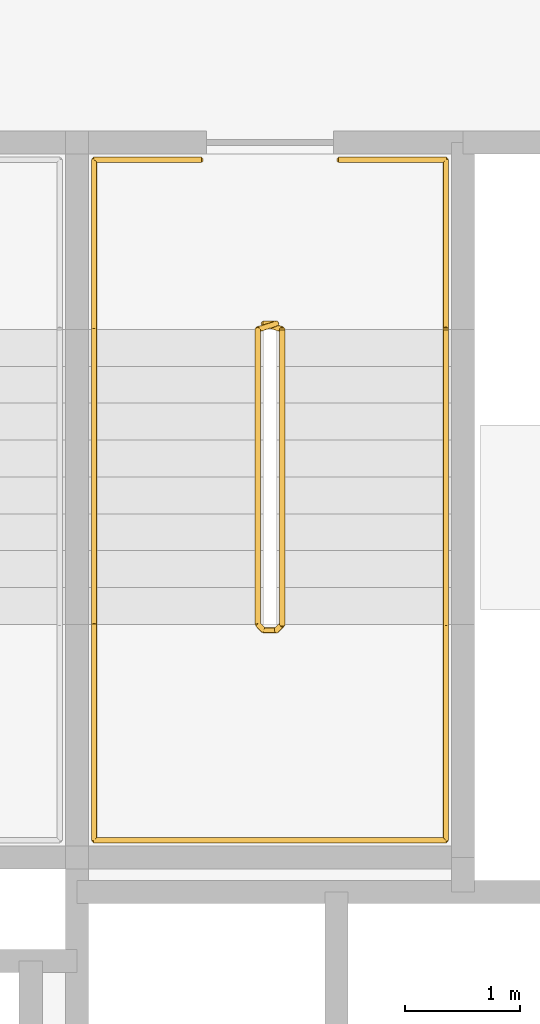
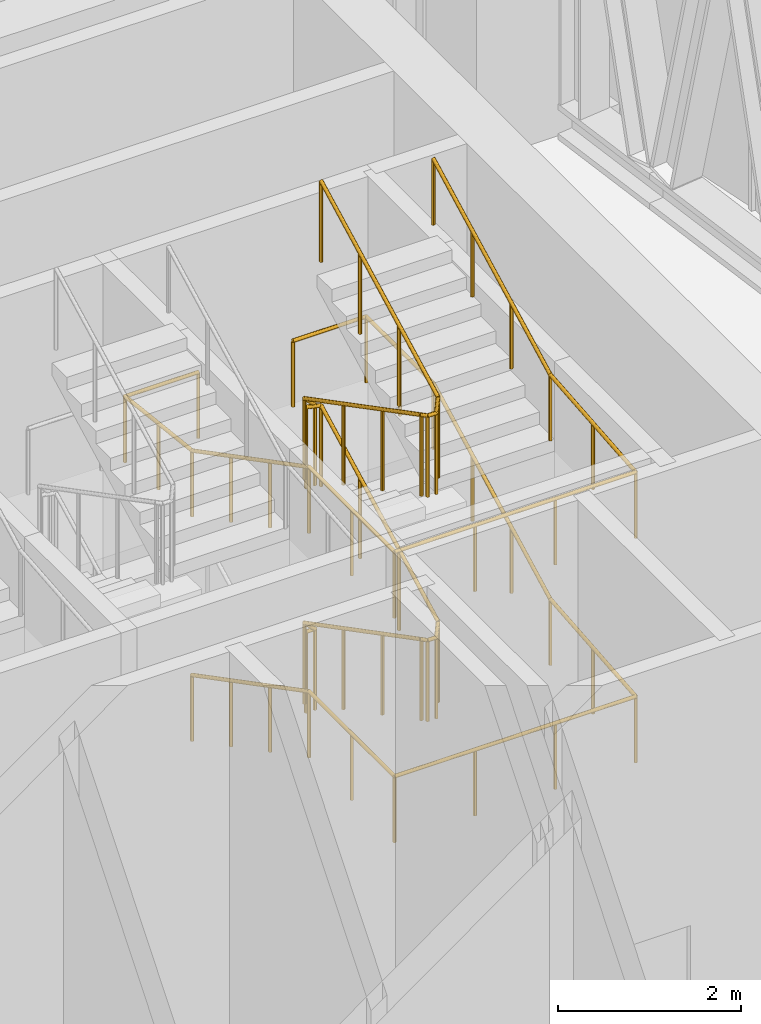
# One storey, part 24 of 24: 3 railings.
"""IFC4 building model written with IfcOpenShell, lengths in metres."""

from ifc_helpers import new_model, si_unit, direction, frame, origin, origin_2d, place, context, subcontext, project, spatial, circle, extrude, material, type_object, element, save


model = new_model("IFC4")

# Units and contexts
model_context = context("Model", 3, precision=1e-05, world=origin(), true_north=direction((0.0, 1.0)))
body_context = subcontext(model_context, "Body", "Model", "MODEL_VIEW")
ifc_project = project(units=[si_unit("LENGTHUNIT", "METRE"), si_unit("AREAUNIT", "SQUARE_METRE"), si_unit("VOLUMEUNIT", "CUBIC_METRE"), si_unit("PLANEANGLEUNIT", "RADIAN"), si_unit("MASSUNIT", "GRAM", prefix="KILO")], contexts=[model_context])

# Site, building, storey
site_placement = place(None, origin())
site = spatial("IfcSite", under=ifc_project, at=site_placement, CompositionType="ELEMENT")
building_placement = place(site_placement, origin())
building = spatial("IfcBuilding", under=site, at=building_placement, Name="Tessera Arch", CompositionType="ELEMENT")
storey_placement = place(building_placement, frame((0.0, 0.0, 123.39990234375)))
storey = spatial("IfcBuildingStorey", under=building, at=storey_placement, Name="L29", CompositionType="ELEMENT", Elevation=123.39990234375)

# Railings
ifc_material_1 = material(Name="Painted steel balustrade", Category="steel")
railing_type_1 = type_object("IfcRailingType", Name="Stair guard 1100", PredefinedType="GUARDRAIL", material=ifc_material_1)
railing_1_placement = place(storey_placement, frame((44.919921875, 43.6298828125, 0.0)))
element("IfcRailing", 1, at=railing_1_placement, inside=storey, type_object=railing_type_1, Name="L29 S1c stair guard 1", PredefinedType="GUARDRAIL", context=body_context, shape_type="SweptSolid", body=[
    extrude(circle(Radius=0.02392578125, at=origin_2d()), frame((-0.00390625, 0.0, 1.076171875), z_axis=(1.0, 0.0, 0.0), x_axis=(0.0, 1.0, 0.0)), (0.0, 0.0, 1.0), 0.1181640625),
    extrude(circle(Radius=0.02392578125, at=origin_2d()), frame((0.11279296875, 0.000732421875, 1.0732421875), z_axis=(-0.676614622933, -0.210731882562, 0.705538606814), x_axis=(0.297361876254, -0.954764847777, 0.0)), (0.0, 0.0, 1.0), 0.244384765625),
    extrude(circle(Radius=0.02392578125, at=origin_2d()), frame((-0.0498046875, -0.046142578125, 1.240966796875), z_axis=(0.0, -0.886929966286, 0.461903923888), x_axis=(1.0, 0.0, 0.0)), (0.0, 0.0, 1.0), 2.89453125),
    extrude(circle(Radius=0.02392578125, at=origin_2d()), frame((-0.052734375, -2.60693359375, 2.576171875), z_axis=(0.705375805398, -0.708833529934, 0.0), x_axis=(0.708833529934, 0.705375805398, 0.0)), (0.0, 0.0, 1.0), 0.07861328125),
    extrude(circle(Radius=0.02392578125, at=origin_2d()), frame((-0.00390625, -2.659912109375, 2.576171875), z_axis=(1.0, 0.0, 0.0), x_axis=(0.0, 1.0, 0.0)), (0.0, 0.0, 1.0), 0.1181640625),
    extrude(circle(Radius=0.02392578125, at=origin_2d()), frame((0.10888671875, -2.6611328125, 2.572265625), z_axis=(0.27628659633, 0.27628659633, 0.920506074601), x_axis=(-0.707106781187, 0.707106781187, 0.0)), (0.0, 0.0, 1.0), 0.189208984375),
    extrude(circle(Radius=0.02392578125, at=origin_2d()), frame((0.16015625, -2.613525390625, 2.740966796875), z_axis=(0.0, 0.886929966286, 0.461903923888), x_axis=(-1.0, 0.0, 0.0)), (0.0, 0.0, 1.0), 2.89453125),
    extrude(circle(Radius=0.02392578125, at=origin_2d()), frame((0.1640625, -0.051025390625, 4.076171875), z_axis=(-0.954893471113, 0.296948579431, 0.0), x_axis=(-0.296948579431, -0.954893471113, 0.0)), (0.0, 0.0, 1.0), 0.17578125),
    extrude(circle(Radius=0.02392578125, at=origin_2d()), frame((-0.00390625, 0.0, 4.076171875), z_axis=(1.0, 0.0, 0.0), x_axis=(0.0, 1.0, 0.0)), (0.0, 0.0, 1.0), 0.1181640625),
    extrude(circle(Radius=0.02392578125, at=origin_2d()), frame((0.11279296875, 0.000732421875, 4.0732421875), z_axis=(-0.676614622933, -0.210731882562, 0.705538606814), x_axis=(0.297361876254, -0.954764847777, 0.0)), (0.0, 0.0, 1.0), 0.244384765625),
    extrude(circle(Radius=0.02392578125, at=origin_2d()), frame((-0.0498046875, -0.046142578125, 4.240966796875), z_axis=(0.0, -0.886929966286, 0.461903923888), x_axis=(1.0, 0.0, 0.0)), (0.0, 0.0, 1.0), 2.89453125),
    extrude(circle(Radius=0.02392578125, at=origin_2d()), frame((-0.052734375, -2.60693359375, 5.576171875), z_axis=(0.705375805398, -0.708833529934, 0.0), x_axis=(0.708833529934, 0.705375805398, 0.0)), (0.0, 0.0, 1.0), 0.07861328125),
    extrude(circle(Radius=0.02392578125, at=origin_2d()), frame((-0.00390625, -2.659912109375, 5.576171875), z_axis=(1.0, 0.0, 0.0), x_axis=(0.0, 1.0, 0.0)), (0.0, 0.0, 1.0), 0.1181640625),
    extrude(circle(Radius=0.02392578125, at=origin_2d()), frame((0.10888671875, -2.6611328125, 5.572265625), z_axis=(0.27628659633, 0.27628659633, 0.920506074601), x_axis=(-0.707106781187, 0.707106781187, 0.0)), (0.0, 0.0, 1.0), 0.189208984375),
    extrude(circle(Radius=0.02392578125, at=origin_2d()), frame((0.16015625, -2.613525390625, 5.740966796875), z_axis=(0.0, 0.886929966286, 0.461903923888), x_axis=(-1.0, 0.0, 0.0)), (0.0, 0.0, 1.0), 2.89453125),
    extrude(circle(Radius=0.02099609375, at=origin_2d()), origin(), (0.0, 0.0, 1.0), 1.06396484375),
    extrude(circle(Radius=0.02099609375, at=origin_2d()), frame((0.110107421875, 0.0, 0.0)), (0.0, 0.0, 1.0), 1.06396484375),
    extrude(circle(Radius=0.02099609375, at=origin_2d()), frame((-0.0498046875, -0.0498046875, 0.166748046875)), (0.0, 0.0, 1.0), 1.06396484375),
    extrude(circle(Radius=0.02099609375, at=origin_2d()), frame((-0.0498046875, -0.903076171875, 0.611083984375)), (0.0, 0.0, 1.0), 1.06396484375),
    extrude(circle(Radius=0.02099609375, at=origin_2d()), frame((-0.0498046875, -1.756591796875, 1.0556640625)), (0.0, 0.0, 1.0), 1.06396484375),
    extrude(circle(Radius=0.02099609375, at=origin_2d()), frame((-0.0498046875, -2.60986328125, 1.5)), (0.0, 0.0, 1.0), 1.06396484375),
    extrude(circle(Radius=0.02099609375, at=origin_2d()), frame((0.0, -2.659912109375, 1.5)), (0.0, 0.0, 1.0), 1.06396484375),
    extrude(circle(Radius=0.02099609375, at=origin_2d()), frame((0.110107421875, -2.659912109375, 1.5)), (0.0, 0.0, 1.0), 1.06396484375),
    extrude(circle(Radius=0.02099609375, at=origin_2d()), frame((0.16015625, -2.60986328125, 1.666748046875)), (0.0, 0.0, 1.0), 1.06396484375),
    extrude(circle(Radius=0.02099609375, at=origin_2d()), frame((0.16015625, -1.756591796875, 2.111083984375)), (0.0, 0.0, 1.0), 1.06396484375),
    extrude(circle(Radius=0.02099609375, at=origin_2d()), frame((0.16015625, -0.903076171875, 2.5556640625)), (0.0, 0.0, 1.0), 1.06396484375),
    extrude(circle(Radius=0.02099609375, at=origin_2d()), frame((0.16015625, -0.0498046875, 3.0)), (0.0, 0.0, 1.0), 1.06396484375),
    extrude(circle(Radius=0.02099609375, at=origin_2d()), frame((0.0, 0.0, 3.0)), (0.0, 0.0, 1.0), 1.06396484375),
    extrude(circle(Radius=0.02099609375, at=origin_2d()), frame((0.110107421875, 0.0, 3.0)), (0.0, 0.0, 1.0), 1.06396484375),
    extrude(circle(Radius=0.02099609375, at=origin_2d()), frame((-0.0498046875, -0.0498046875, 3.166748046875)), (0.0, 0.0, 1.0), 1.06396484375),
    extrude(circle(Radius=0.02099609375, at=origin_2d()), frame((-0.0498046875, -0.903076171875, 3.611083984375)), (0.0, 0.0, 1.0), 1.06396484375),
    extrude(circle(Radius=0.02099609375, at=origin_2d()), frame((-0.0498046875, -1.756591796875, 4.0556640625)), (0.0, 0.0, 1.0), 1.06396484375),
    extrude(circle(Radius=0.02099609375, at=origin_2d()), frame((-0.0498046875, -2.60986328125, 4.5)), (0.0, 0.0, 1.0), 1.06396484375),
    extrude(circle(Radius=0.02099609375, at=origin_2d()), frame((0.0, -2.659912109375, 4.5)), (0.0, 0.0, 1.0), 1.06396484375),
    extrude(circle(Radius=0.02099609375, at=origin_2d()), frame((0.110107421875, -2.659912109375, 4.5)), (0.0, 0.0, 1.0), 1.06396484375),
    extrude(circle(Radius=0.02099609375, at=origin_2d()), frame((0.16015625, -2.60986328125, 4.666748046875)), (0.0, 0.0, 1.0), 1.06396484375),
    extrude(circle(Radius=0.02099609375, at=origin_2d()), frame((0.16015625, -1.756591796875, 5.111083984375)), (0.0, 0.0, 1.0), 1.06396484375),
    extrude(circle(Radius=0.02099609375, at=origin_2d()), frame((0.16015625, -0.903076171875, 5.5556640625)), (0.0, 0.0, 1.0), 1.06396484375),
    extrude(circle(Radius=0.02099609375, at=origin_2d()), frame((0.16015625, -0.0498046875, 6.0)), (0.0, 0.0, 1.0), 1.06396484375),
])
ifc_material_2 = material(Name="Painted steel handrail", Category="steel")
railing_type_2 = type_object("IfcRailingType", Name="Stair handrail 900", PredefinedType="HANDRAIL", material=ifc_material_2)
railing_2_placement = place(storey_placement, frame((43.449951171875, 43.580078125, 0.166748046875)))
element("IfcRailing", 2, at=railing_2_placement, inside=storey, type_object=railing_type_2, Name="L29 S1c stair handrail", PredefinedType="HANDRAIL", context=body_context, shape_type="SweptSolid", body=[
    extrude(circle(Radius=0.02392578125, at=origin_2d()), frame((0.0, 0.003662109375, 0.8740234375), z_axis=(0.0, -0.886929966286, 0.461903923888), x_axis=(1.0, 0.0, 0.0)), (0.0, 0.0, 1.0), 2.89453125),
    extrude(circle(Radius=0.02392578125, at=origin_2d()), frame((0.0, -2.55615234375, 2.208984375), z_axis=(0.0, -1.0, 0.0), x_axis=(1.0, 0.0, 0.0)), (0.0, 0.0, 1.0), 1.878173828125),
    extrude(circle(Radius=0.02392578125, at=origin_2d()), frame((-0.00390625, -4.43017578125, 2.208984375), z_axis=(1.0, 0.0, 0.0), x_axis=(0.0, 1.0, 0.0)), (0.0, 0.0, 1.0), 3.05810546875),
    extrude(circle(Radius=0.02392578125, at=origin_2d()), frame((3.050048828125, -4.43408203125, 2.208740234375), z_axis=(0.0, 0.996048393597, 0.088812147889), x_axis=(-1.0, 0.0, 0.0)), (0.0, 0.0, 1.0), 1.885498046875),
    extrude(circle(Radius=0.02392578125, at=origin_2d()), frame((3.050048828125, -2.563720703125, 2.3740234375), z_axis=(0.0, 0.886929966286, 0.461903923888), x_axis=(-1.0, 0.0, 0.0)), (0.0, 0.0, 1.0), 2.89453125),
    extrude(circle(Radius=0.02392578125, at=origin_2d()), frame((3.050048828125, -0.00390625, 3.708984375), z_axis=(0.0, 1.0, 0.0), x_axis=(-1.0, 0.0, 0.0)), (0.0, 0.0, 1.0), 1.47802734375),
    extrude(circle(Radius=0.02392578125, at=origin_2d()), frame((3.053955078125, 1.469970703125, 3.708984375), z_axis=(-1.0, 0.0, 0.0), x_axis=(0.0, -1.0, 0.0)), (0.0, 0.0, 1.0), 0.93310546875),
    extrude(circle(Radius=0.02099609375, at=origin_2d()), origin(), (0.0, 0.0, 1.0), 0.86376953125),
    extrude(circle(Radius=0.02099609375, at=origin_2d()), frame((0.0, -0.853271484375, 0.4443359375)), (0.0, 0.0, 1.0), 0.86376953125),
    extrude(circle(Radius=0.02099609375, at=origin_2d()), frame((0.0, -1.706787109375, 0.888916015625)), (0.0, 0.0, 1.0), 0.86376953125),
    extrude(circle(Radius=0.02099609375, at=origin_2d()), frame((0.0, -2.56005859375, 1.333251953125)), (0.0, 0.0, 1.0), 0.86376953125),
    extrude(circle(Radius=0.02099609375, at=origin_2d()), frame((0.0, -3.4951171875, 1.333251953125)), (0.0, 0.0, 1.0), 0.86376953125),
    extrude(circle(Radius=0.02099609375, at=origin_2d()), frame((0.0, -4.43017578125, 1.333251953125)), (0.0, 0.0, 1.0), 0.86376953125),
    extrude(circle(Radius=0.02099609375, at=origin_2d()), frame((1.0166015625, -4.43017578125, 1.333251953125)), (0.0, 0.0, 1.0), 0.86376953125),
    extrude(circle(Radius=0.02099609375, at=origin_2d()), frame((2.033447265625, -4.43017578125, 1.333251953125)), (0.0, 0.0, 1.0), 0.86376953125),
    extrude(circle(Radius=0.02099609375, at=origin_2d()), frame((3.050048828125, -4.43017578125, 1.333251953125)), (0.0, 0.0, 1.0), 0.86376953125),
    extrude(circle(Radius=0.02099609375, at=origin_2d()), frame((3.050048828125, -3.4951171875, 1.41650390625)), (0.0, 0.0, 1.0), 0.86376953125),
    extrude(circle(Radius=0.02099609375, at=origin_2d()), frame((3.050048828125, -2.56005859375, 1.5)), (0.0, 0.0, 1.0), 0.86376953125),
    extrude(circle(Radius=0.02099609375, at=origin_2d()), frame((3.050048828125, -1.706787109375, 1.9443359375)), (0.0, 0.0, 1.0), 0.86376953125),
    extrude(circle(Radius=0.02099609375, at=origin_2d()), frame((3.050048828125, -0.853271484375, 2.388916015625)), (0.0, 0.0, 1.0), 0.86376953125),
    extrude(circle(Radius=0.02099609375, at=origin_2d()), frame((3.050048828125, 0.0, 2.833251953125)), (0.0, 0.0, 1.0), 0.86376953125),
    extrude(circle(Radius=0.02099609375, at=origin_2d()), frame((3.050048828125, 0.73486328125, 2.833251953125)), (0.0, 0.0, 1.0), 0.86376953125),
    extrude(circle(Radius=0.02099609375, at=origin_2d()), frame((3.050048828125, 1.469970703125, 2.833251953125)), (0.0, 0.0, 1.0), 0.86376953125),
    extrude(circle(Radius=0.02099609375, at=origin_2d()), frame((2.125, 1.469970703125, 2.833251953125)), (0.0, 0.0, 1.0), 0.86376953125),
])
railing_3_placement = place(storey_placement, frame((44.375, 45.050048828125, 3.0)))
element("IfcRailing", 3, at=railing_3_placement, inside=storey, type_object=railing_type_2, Name="L29 S1c stair handrail 2", PredefinedType="HANDRAIL", context=body_context, shape_type="SweptSolid", body=[
    extrude(circle(Radius=0.02392578125, at=origin_2d()), frame((0.00390625, 0.0, 0.8759765625), z_axis=(-1.0, 0.0, 0.0), x_axis=(0.0, -1.0, 0.0)), (0.0, 0.0, 1.0), 0.93310546875),
    extrude(circle(Radius=0.02392578125, at=origin_2d()), frame((-0.925048828125, 0.00390625, 0.87548828125), z_axis=(0.0, -0.993627536354, 0.112713437524), x_axis=(1.0, 0.0, 0.0)), (0.0, 0.0, 1.0), 1.4873046875),
    extrude(circle(Radius=0.02392578125, at=origin_2d()), frame((-0.925048828125, -1.46630859375, 1.040771484375), z_axis=(0.0, -0.886929966286, 0.461903923888), x_axis=(1.0, 0.0, 0.0)), (0.0, 0.0, 1.0), 2.89453125),
    extrude(circle(Radius=0.02392578125, at=origin_2d()), frame((-0.925048828125, -4.026123046875, 2.3759765625), z_axis=(0.0, -1.0, 0.0), x_axis=(1.0, 0.0, 0.0)), (0.0, 0.0, 1.0), 1.878173828125),
    extrude(circle(Radius=0.02392578125, at=origin_2d()), frame((-0.928955078125, -5.900146484375, 2.3759765625), z_axis=(1.0, 0.0, 0.0), x_axis=(0.0, 1.0, 0.0)), (0.0, 0.0, 1.0), 3.05810546875),
    extrude(circle(Radius=0.02392578125, at=origin_2d()), frame((2.125, -5.904052734375, 2.37548828125), z_axis=(0.0, 0.996048393597, 0.088812147889), x_axis=(-1.0, 0.0, 0.0)), (0.0, 0.0, 1.0), 1.885498046875),
    extrude(circle(Radius=0.02392578125, at=origin_2d()), frame((2.125, -4.03369140625, 2.540771484375), z_axis=(0.0, 0.886929966286, 0.461903923888), x_axis=(-1.0, 0.0, 0.0)), (0.0, 0.0, 1.0), 2.89453125),
    extrude(circle(Radius=0.02099609375, at=origin_2d()), origin(), (0.0, 0.0, 1.0), 0.86376953125),
    extrude(circle(Radius=0.02099609375, at=origin_2d()), frame((-0.925048828125, 0.0, 0.0)), (0.0, 0.0, 1.0), 0.86376953125),
    extrude(circle(Radius=0.02099609375, at=origin_2d()), frame((-0.925048828125, -0.73486328125, 0.08349609375)), (0.0, 0.0, 1.0), 0.86376953125),
    extrude(circle(Radius=0.02099609375, at=origin_2d()), frame((-0.925048828125, -1.469970703125, 0.166748046875)), (0.0, 0.0, 1.0), 0.86376953125),
    extrude(circle(Radius=0.02099609375, at=origin_2d()), frame((-0.925048828125, -2.3232421875, 0.611083984375)), (0.0, 0.0, 1.0), 0.86376953125),
    extrude(circle(Radius=0.02099609375, at=origin_2d()), frame((-0.925048828125, -3.1767578125, 1.0556640625)), (0.0, 0.0, 1.0), 0.86376953125),
    extrude(circle(Radius=0.02099609375, at=origin_2d()), frame((-0.925048828125, -4.030029296875, 1.5)), (0.0, 0.0, 1.0), 0.86376953125),
    extrude(circle(Radius=0.02099609375, at=origin_2d()), frame((-0.925048828125, -4.965087890625, 1.5)), (0.0, 0.0, 1.0), 0.86376953125),
    extrude(circle(Radius=0.02099609375, at=origin_2d()), frame((-0.925048828125, -5.900146484375, 1.5)), (0.0, 0.0, 1.0), 0.86376953125),
    extrude(circle(Radius=0.02099609375, at=origin_2d()), frame((0.091552734375, -5.900146484375, 1.5)), (0.0, 0.0, 1.0), 0.86376953125),
    extrude(circle(Radius=0.02099609375, at=origin_2d()), frame((1.1083984375, -5.900146484375, 1.5)), (0.0, 0.0, 1.0), 0.86376953125),
    extrude(circle(Radius=0.02099609375, at=origin_2d()), frame((2.125, -5.900146484375, 1.5)), (0.0, 0.0, 1.0), 0.86376953125),
    extrude(circle(Radius=0.02099609375, at=origin_2d()), frame((2.125, -4.965087890625, 1.58349609375)), (0.0, 0.0, 1.0), 0.86376953125),
    extrude(circle(Radius=0.02099609375, at=origin_2d()), frame((2.125, -4.030029296875, 1.666748046875)), (0.0, 0.0, 1.0), 0.86376953125),
    extrude(circle(Radius=0.02099609375, at=origin_2d()), frame((2.125, -3.1767578125, 2.111083984375)), (0.0, 0.0, 1.0), 0.86376953125),
    extrude(circle(Radius=0.02099609375, at=origin_2d()), frame((2.125, -2.3232421875, 2.5556640625)), (0.0, 0.0, 1.0), 0.86376953125),
    extrude(circle(Radius=0.02099609375, at=origin_2d()), frame((2.125, -1.469970703125, 3.0)), (0.0, 0.0, 1.0), 0.86376953125),
])

save(model, "model.ifc")
